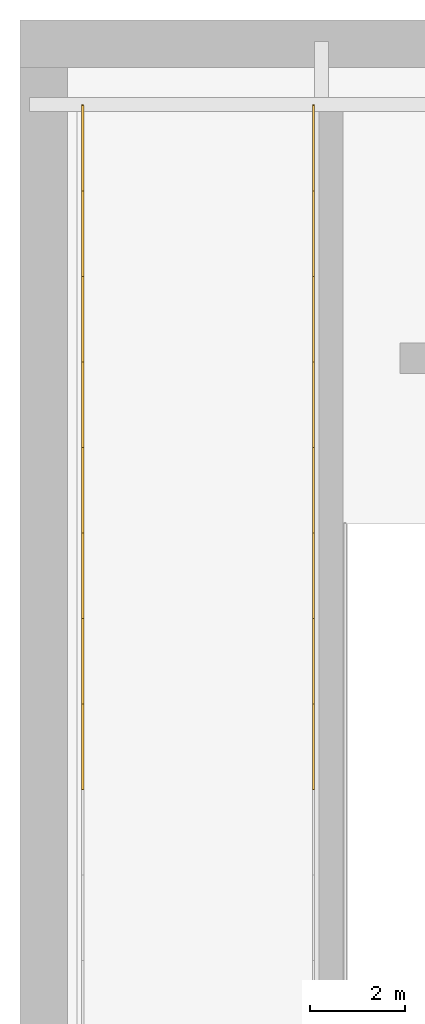
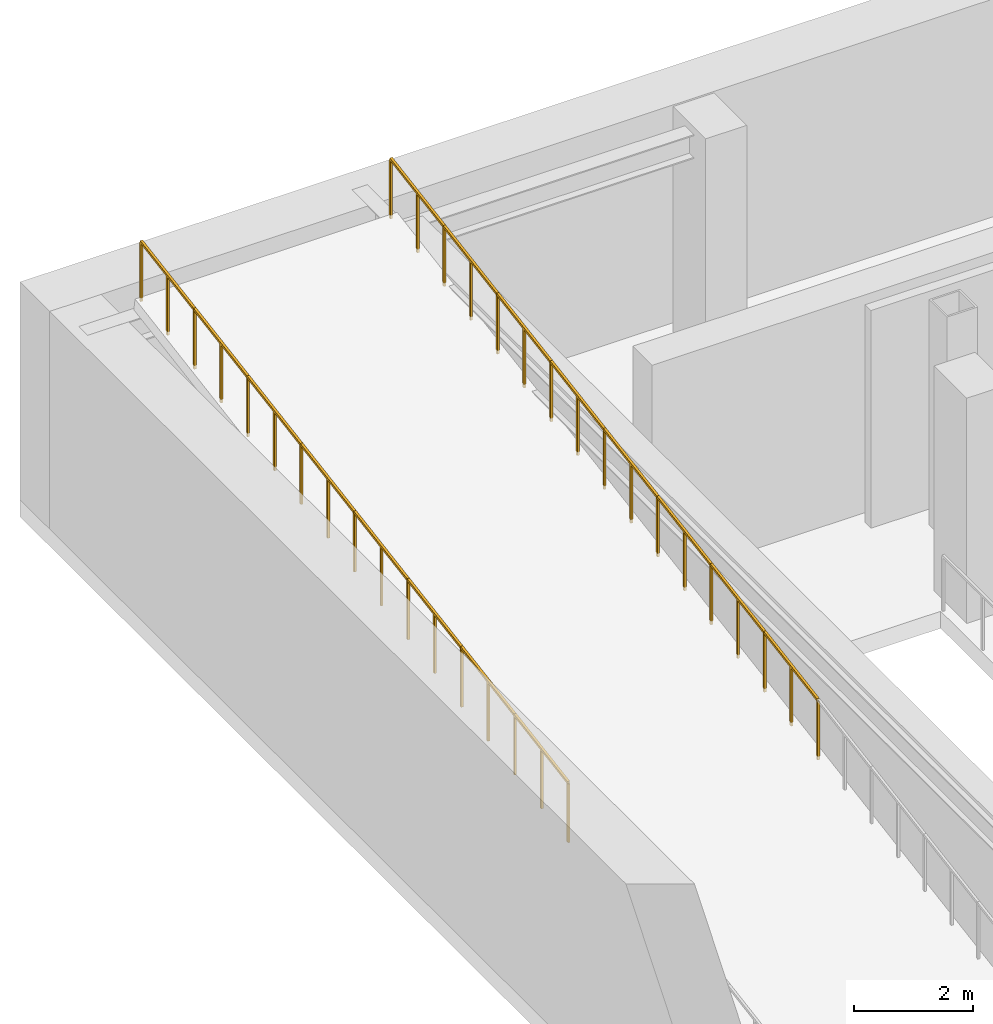
# One storey, part 9 of 9: 16 railings.
"""IFC4 building model written with IfcOpenShell, lengths in metres."""

from ifc_helpers import new_model, si_unit, direction, frame, origin, origin_2d, place, context, subcontext, project, spatial, rectangle, extrude, material, type_object, element, save


model = new_model("IFC4")

# Units and contexts
model_context = context("Model", 3, precision=1e-05, world=origin(), true_north=direction((0.0, 1.0)))
body_context = subcontext(model_context, "Body", "Model", "MODEL_VIEW")
ifc_project = project(units=[si_unit("LENGTHUNIT", "METRE"), si_unit("AREAUNIT", "SQUARE_METRE"), si_unit("VOLUMEUNIT", "CUBIC_METRE"), si_unit("PLANEANGLEUNIT", "RADIAN"), si_unit("MASSUNIT", "GRAM", prefix="KILO")], contexts=[model_context])

# Site, building, storey
site_placement = place(None, origin())
site = spatial("IfcSite", under=ifc_project, at=site_placement, CompositionType="ELEMENT")
building_placement = place(site_placement, origin())
building = spatial("IfcBuilding", under=site, at=building_placement, Name="Olszyna Solenne Hotel", CompositionType="ELEMENT")
storey_placement = place(building_placement, frame((0.0, 0.0, -4.800048828125)))
storey = spatial("IfcBuildingStorey", under=building, at=storey_placement, Name="B01", CompositionType="ELEMENT", Elevation=-4.800048828125)

# Railings
ifc_material = material(Name="Steel S355J2", Category="steel")
railing_type = type_object("IfcRailingType", Name="GR-115", PredefinedType="BALUSTRADE", material=ifc_material)
for number, where, name in (
    (1, (3.320068359375, 34.39990234375, 2.320068359375), "Vehicle ramp RFL-V02 W edge guard GR-V2W-09"),
    (2, (8.179931640625, 34.39990234375, 2.320068359375), "Vehicle ramp RFL-V02 E edge guard GR-V2E-09"),
    (3, (3.320068359375, 36.199951171875, 2.6201171875), "Vehicle ramp RFL-V02 W edge guard GR-V2W-10"),
    (4, (8.179931640625, 36.199951171875, 2.6201171875), "Vehicle ramp RFL-V02 E edge guard GR-V2E-10"),
):
    element("IfcRailing", number, at=place(storey_placement, frame(where)), inside=storey, type_object=railing_type, Name=name, PredefinedType="BALUSTRADE", context=body_context, shape_type="SweptSolid", body=[
        extrude(rectangle(XDim=0.048095703125, YDim=0.048095703125, at=origin_2d()), frame((0.0, 0.0, 1.22607421875), z_axis=(0.0, 0.986390307807, 0.164420681988), x_axis=(-1.0, 0.0, 0.0)), (0.0, 0.0, 1.0), 1.824951171875),
        extrude(rectangle(XDim=0.0419921875, YDim=0.0419921875, at=origin_2d()), origin(), (0.0, 0.0, 1.0), 1.201904296875),
        extrude(rectangle(XDim=0.0419921875, YDim=0.0419921875, at=origin_2d()), frame((0.0, 0.89990234375, 0.14990234375)), (0.0, 0.0, 1.0), 1.201904296875),
        extrude(rectangle(XDim=0.0419921875, YDim=0.0419921875, at=origin_2d()), frame((0.0, 1.800048828125, 0.300048828125)), (0.0, 0.0, 1.0), 1.201904296875),
    ])
for number, where, name in (
    (5, (3.320068359375, 38.0, 2.920166015625), "Vehicle ramp RFL-V02 W edge guard GR-V2W-11"),
    (6, (8.179931640625, 38.0, 2.920166015625), "Vehicle ramp RFL-V02 E edge guard GR-V2E-11"),
):
    element("IfcRailing", number, at=place(storey_placement, frame(where)), inside=storey, type_object=railing_type, Name=name, PredefinedType="BALUSTRADE", context=body_context, shape_type="SweptSolid", body=[
        extrude(rectangle(XDim=0.048095703125, YDim=0.048095703125, at=origin_2d()), frame((0.0, 0.0, 1.22607421875), z_axis=(0.0, 0.9864119972, 0.164290510316), x_axis=(-1.0, 0.0, 0.0)), (0.0, 0.0, 1.0), 1.824951171875),
        extrude(rectangle(XDim=0.0419921875, YDim=0.0419921875, at=origin_2d()), origin(), (0.0, 0.0, 1.0), 1.201904296875),
        extrude(rectangle(XDim=0.0419921875, YDim=0.0419921875, at=origin_2d()), frame((0.0, 0.89990234375, 0.14990234375)), (0.0, 0.0, 1.0), 1.201904296875),
        extrude(rectangle(XDim=0.0419921875, YDim=0.0419921875, at=origin_2d()), frame((0.0, 1.800048828125, 0.2998046875)), (0.0, 0.0, 1.0), 1.201904296875),
    ])
for number, where, name in (
    (7, (3.320068359375, 39.800048828125, 3.219970703125), "Vehicle ramp RFL-V02 W edge guard GR-V2W-12"),
    (8, (8.179931640625, 39.800048828125, 3.219970703125), "Vehicle ramp RFL-V02 E edge guard GR-V2E-12"),
):
    element("IfcRailing", number, at=place(storey_placement, frame(where)), inside=storey, type_object=railing_type, Name=name, PredefinedType="BALUSTRADE", context=body_context, shape_type="SweptSolid", body=[
        extrude(rectangle(XDim=0.048095703125, YDim=0.048095703125, at=origin_2d()), frame((0.0, 0.0, 1.22607421875), z_axis=(0.0, 0.986390307807, 0.164420681988), x_axis=(-1.0, 0.0, 0.0)), (0.0, 0.0, 1.0), 1.824951171875),
        extrude(rectangle(XDim=0.0419921875, YDim=0.0419921875, at=origin_2d()), origin(), (0.0, 0.0, 1.0), 1.201904296875),
        extrude(rectangle(XDim=0.0419921875, YDim=0.0419921875, at=origin_2d()), frame((0.0, 0.89990234375, 0.14990234375)), (0.0, 0.0, 1.0), 1.201904296875),
        extrude(rectangle(XDim=0.0419921875, YDim=0.0419921875, at=origin_2d()), frame((0.0, 1.800048828125, 0.300048828125)), (0.0, 0.0, 1.0), 1.201904296875),
    ])
for number, where, name in (
    (9, (3.320068359375, 41.60009765625, 3.52001953125), "Vehicle ramp RFL-V02 W edge guard GR-V2W-13"),
    (10, (8.179931640625, 41.60009765625, 3.52001953125), "Vehicle ramp RFL-V02 E edge guard GR-V2E-13"),
):
    element("IfcRailing", number, at=place(storey_placement, frame(where)), inside=storey, type_object=railing_type, Name=name, PredefinedType="BALUSTRADE", context=body_context, shape_type="SweptSolid", body=[
        extrude(rectangle(XDim=0.048095703125, YDim=0.048095703125, at=origin_2d()), frame((0.0, 0.0, 1.22607421875), z_axis=(0.0, 0.986386690349, 0.164442382317), x_axis=(-1.0, 0.0, 0.0)), (0.0, 0.0, 1.0), 1.82470703125),
        extrude(rectangle(XDim=0.0419921875, YDim=0.0419921875, at=origin_2d()), origin(), (0.0, 0.0, 1.0), 1.201904296875),
        extrude(rectangle(XDim=0.0419921875, YDim=0.0419921875, at=origin_2d()), frame((0.0, 0.89990234375, 0.14990234375)), (0.0, 0.0, 1.0), 1.201904296875),
        extrude(rectangle(XDim=0.0419921875, YDim=0.0419921875, at=origin_2d()), frame((0.0, 1.7998046875, 0.300048828125)), (0.0, 0.0, 1.0), 1.201904296875),
    ])
for number, where, name in (
    (11, (3.320068359375, 43.39990234375, 3.820068359375), "Vehicle ramp RFL-V02 W edge guard GR-V2W-14"),
    (12, (8.179931640625, 43.39990234375, 3.820068359375), "Vehicle ramp RFL-V02 E edge guard GR-V2E-14"),
    (13, (3.320068359375, 45.199951171875, 4.1201171875), "Vehicle ramp RFL-V02 W edge guard GR-V2W-15"),
    (14, (8.179931640625, 45.199951171875, 4.1201171875), "Vehicle ramp RFL-V02 E edge guard GR-V2E-15"),
):
    element("IfcRailing", number, at=place(storey_placement, frame(where)), inside=storey, type_object=railing_type, Name=name, PredefinedType="BALUSTRADE", context=body_context, shape_type="SweptSolid", body=[
        extrude(rectangle(XDim=0.048095703125, YDim=0.048095703125, at=origin_2d()), frame((0.0, 0.0, 1.22607421875), z_axis=(0.0, 0.986390307807, 0.164420681988), x_axis=(-1.0, 0.0, 0.0)), (0.0, 0.0, 1.0), 1.824951171875),
        extrude(rectangle(XDim=0.0419921875, YDim=0.0419921875, at=origin_2d()), origin(), (0.0, 0.0, 1.0), 1.201904296875),
        extrude(rectangle(XDim=0.0419921875, YDim=0.0419921875, at=origin_2d()), frame((0.0, 0.89990234375, 0.14990234375)), (0.0, 0.0, 1.0), 1.201904296875),
        extrude(rectangle(XDim=0.0419921875, YDim=0.0419921875, at=origin_2d()), frame((0.0, 1.800048828125, 0.300048828125)), (0.0, 0.0, 1.0), 1.201904296875),
    ])
for number, where, name in (
    (15, (3.320068359375, 47.0, 4.420166015625), "Vehicle ramp RFL-V02 W edge guard GR-V2W-16"),
    (16, (8.179931640625, 47.0, 4.420166015625), "Vehicle ramp RFL-V02 E edge guard GR-V2E-16"),
):
    element("IfcRailing", number, at=place(storey_placement, frame(where)), inside=storey, type_object=railing_type, Name=name, PredefinedType="BALUSTRADE", context=body_context, shape_type="SweptSolid", body=[
        extrude(rectangle(XDim=0.048095703125, YDim=0.048095703125, at=origin_2d()), frame((0.0, 0.0, 1.22607421875), z_axis=(0.0, 0.9864119972, 0.164290510316), x_axis=(-1.0, 0.0, 0.0)), (0.0, 0.0, 1.0), 1.824951171875),
        extrude(rectangle(XDim=0.0419921875, YDim=0.0419921875, at=origin_2d()), origin(), (0.0, 0.0, 1.0), 1.201904296875),
        extrude(rectangle(XDim=0.0419921875, YDim=0.0419921875, at=origin_2d()), frame((0.0, 0.89990234375, 0.14990234375)), (0.0, 0.0, 1.0), 1.201904296875),
        extrude(rectangle(XDim=0.0419921875, YDim=0.0419921875, at=origin_2d()), frame((0.0, 1.800048828125, 0.2998046875)), (0.0, 0.0, 1.0), 1.201904296875),
    ])

save(model, "model.ifc")
